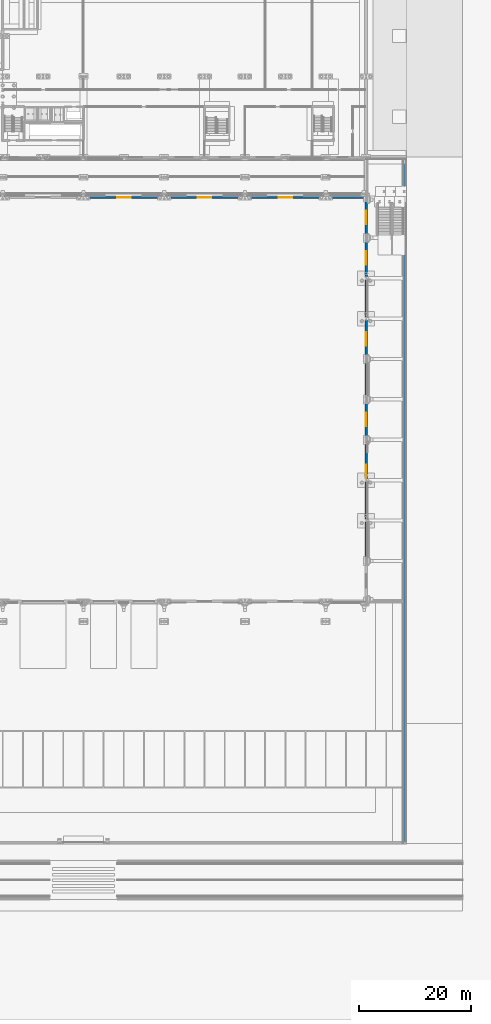
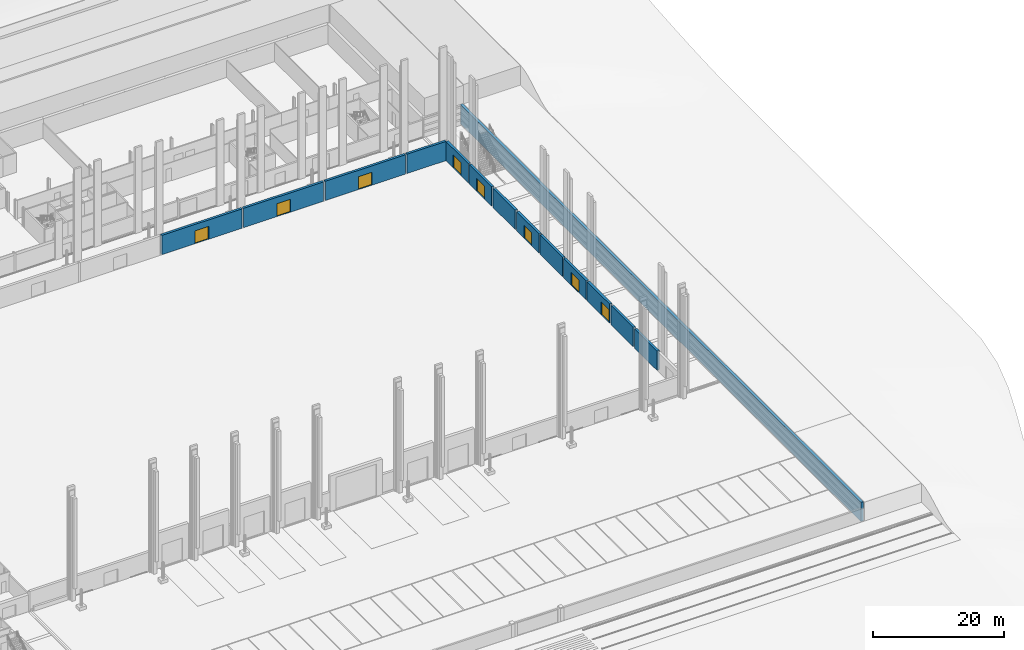
# One storey, part 86 of 148: 14 walls, 8 doors, 8 openings.
"""IFC4 building model written with IfcOpenShell, lengths in metres."""

from ifc_helpers import new_model, si_unit, direction, frame, frame_2d, origin, place, context, subcontext, project, spatial, rectangle, extrude, material, layer, layer_set, type_object, element, fill, save


model = new_model("IFC4")

# Units and contexts
model_context = context("Model", 3, precision=1e-05, world=origin(), true_north=direction((0.0, 1.0)))
body_context = subcontext(model_context, "Body", "Model", "MODEL_VIEW")
ifc_project = project(units=[si_unit("LENGTHUNIT", "METRE"), si_unit("AREAUNIT", "SQUARE_METRE"), si_unit("VOLUMEUNIT", "CUBIC_METRE"), si_unit("PLANEANGLEUNIT", "RADIAN"), si_unit("MASSUNIT", "GRAM", prefix="KILO")], contexts=[model_context])

# Site, building, storey
site_placement = place(None, origin())
site = spatial("IfcSite", under=ifc_project, at=site_placement, CompositionType="ELEMENT")
building_placement = place(site_placement, origin())
building = spatial("IfcBuilding", under=site, at=building_placement, Name="Kupolbacken Congress Centre", CompositionType="ELEMENT")
storey_placement = place(building_placement, origin())
storey = spatial("IfcBuildingStorey", under=building, at=storey_placement, Name="L00", CompositionType="ELEMENT", Elevation=0.0)

# Walls
ifc_material_1 = material(Name="Brick", Category="masonry")
ifc_layer_1 = layer(ifc_material_1, 0.10791015625)
ifc_material_2 = material(Name="Air cavity", Category="air")
ifc_layer_2 = layer(ifc_material_2, 0.0400390625, ventilated=True)
ifc_material_3 = material(Name="Mineral wool", Category="insulation")
ifc_layer_3 = layer(ifc_material_3, 0.152099609375)
ifc_material_4 = material(Name="Concrete block", Category="masonry")
ifc_layer_4 = layer(ifc_material_4, 0.1201171875)
ifc_layer_set_1 = layer_set([ifc_layer_1, ifc_layer_2, ifc_layer_3, ifc_layer_4], Name="Brick / Mineral wool / Concrete block")
wall_type_1 = type_object("IfcWallType", Name="EW04 external cavity wall 420", PredefinedType="SOLIDWALL", material=ifc_layer_set_1)
wall_1_placement = place(storey_placement, frame((201.60009765625, 50.544921875, 0.0), z_axis=(0.0, 0.0, 1.0), x_axis=(0.0, 1.0, 0.0)))
element("IfcWall", 1, at=wall_1_placement, inside=storey, type_object=wall_type_1, Name="E/H/E/L00/050", PredefinedType="SOLIDWALL", context=body_context, shape_type="SweptSolid", body=[
    extrude(rectangle(XDim=6.81005859375, YDim=0.419921875, at=frame_2d((3.405029296875, 0.0))), origin(), (0.0, 0.0, 1.0), 3.60009765625),
])
wall_2_placement = place(storey_placement, frame((201.60009765625, 57.844970703125, 0.0), z_axis=(0.0, 0.0, 1.0), x_axis=(0.0, 1.0, 0.0)))
element("IfcWall", 2, at=wall_2_placement, inside=storey, type_object=wall_type_1, Name="E/H/E/L00/051", PredefinedType="SOLIDWALL", context=body_context, shape_type="SweptSolid", body=[
    extrude(rectangle(XDim=6.7099609375, YDim=0.419921875, at=frame_2d((3.35498046875, 0.0))), origin(), (0.0, 0.0, 1.0), 3.60009765625),
])

# Wall, opening, door
wall_3_placement = place(storey_placement, frame((201.60009765625, 65.044921875, 0.0), z_axis=(0.0, 0.0, 1.0), x_axis=(0.0, 1.0, 0.0)))
wall_3 = element("IfcWall", 3, at=wall_3_placement, inside=storey, type_object=wall_type_1, Name="E/H/E/L00/052", PredefinedType="SOLIDWALL", context=body_context, shape_type="SweptSolid", body=[
    extrude(rectangle(XDim=6.81005859375, YDim=0.419921875, at=frame_2d((3.405029296875, 0.0))), origin(), (0.0, 0.0, 1.0), 3.60009765625),
])
opening_1_placement = place(wall_3_placement, frame((0.14990234375, 0.0, 0.014892578125)))
opening_1 = element("IfcOpeningElement", 4, at=opening_1_placement, cuts=wall_3, Name="Opening D46", PredefinedType="OPENING", context=body_context, shape_type="SweptSolid", body=[
    extrude(rectangle(XDim=2.39990234375, YDim=2.39990234375, at=frame_2d((1.199951171875, 1.199951171875))), frame((0.0, 0.219970703125, 0.0), z_axis=(0.0, -1.0, 0.0), x_axis=(1.0, 0.0, 0.0)), (0.0, 0.0, 1.0), 0.43994140625),
])
ifc_material_5 = material(Name="Timber door leaf", Category="wood")
door_type = type_object("IfcDoorType", Name="D46 door 2400x2400 with 15 mm threshold", OperationType="DOUBLE_DOOR_SINGLE_SWING", PredefinedType="DOOR", material=ifc_material_5)
door_1_placement = place(opening_1_placement, frame((2.39990234375, 0.0, 0.0), z_axis=(0.0, 0.0, 1.0), x_axis=(-1.0, 0.0, 0.0)))
door_1 = element("IfcDoor", 5, at=door_1_placement, inside=storey, type_object=door_type, Name="Hall exit E2", OperationType="DOUBLE_DOOR_SINGLE_SWING", OverallHeight=2.39990234375, OverallWidth=2.39990234375, PredefinedType="DOOR", context=body_context, shape_type="SweptSolid", body=[
    extrude(rectangle(XDim=2.39990234375, YDim=2.39990234375, at=frame_2d((1.199951171875, 1.199951171875))), frame((0.0, 0.02490234375, 0.0), z_axis=(0.0, -1.0, 0.0), x_axis=(1.0, 0.0, 0.0)), (0.0, 0.0, 1.0), 0.050048828125),
])
fill(opening_1, door_1)

wall_4_placement = place(storey_placement, frame((201.60009765625, 72.14501953125, 0.0), z_axis=(0.0, 0.0, 1.0), x_axis=(0.0, 1.0, 0.0)))
wall_4 = element("IfcWall", 6, at=wall_4_placement, inside=storey, type_object=wall_type_1, Name="E/H/E/L00/053", PredefinedType="SOLIDWALL", context=body_context, shape_type="SweptSolid", body=[
    extrude(rectangle(XDim=6.909912109375, YDim=0.419921875, at=frame_2d((3.455078125, 0.0))), origin(), (0.0, 0.0, 1.0), 3.60009765625),
])
opening_2_placement = place(wall_4_placement, frame((2.2548828125, 0.0, 0.014892578125)))
opening_2 = element("IfcOpeningElement", 7, at=opening_2_placement, cuts=wall_4, Name="Opening D46", PredefinedType="OPENING", context=body_context, shape_type="SweptSolid", body=[
    extrude(rectangle(XDim=2.39990234375, YDim=2.39990234375, at=frame_2d((1.199951171875, 1.199951171875))), frame((0.0, 0.219970703125, 0.0), z_axis=(0.0, -1.0, 0.0), x_axis=(1.0, 0.0, 0.0)), (0.0, 0.0, 1.0), 0.43994140625),
])
door_2_placement = place(opening_2_placement, frame((2.39990234375, 0.0, 0.0), z_axis=(0.0, 0.0, 1.0), x_axis=(-1.0, 0.0, 0.0)))
door_2 = element("IfcDoor", 8, at=door_2_placement, inside=storey, type_object=door_type, Name="Hall exit E3", OperationType="DOUBLE_DOOR_SINGLE_SWING", OverallHeight=2.39990234375, OverallWidth=2.39990234375, PredefinedType="DOOR", context=body_context, shape_type="SweptSolid", body=[
    extrude(rectangle(XDim=2.39990234375, YDim=2.39990234375, at=frame_2d((1.199951171875, 1.199951171875))), frame((0.0, 0.02490234375, 0.0), z_axis=(0.0, -1.0, 0.0), x_axis=(1.0, 0.0, 0.0)), (0.0, 0.0, 1.0), 0.050048828125),
])
fill(opening_2, door_2)

# Wall
wall_5_placement = place(storey_placement, frame((201.60009765625, 79.344970703125, 0.0), z_axis=(0.0, 0.0, 1.0), x_axis=(0.0, 1.0, 0.0)))
element("IfcWall", 9, at=wall_5_placement, inside=storey, type_object=wall_type_1, Name="E/H/E/L00/054", PredefinedType="SOLIDWALL", context=body_context, shape_type="SweptSolid", body=[
    extrude(rectangle(XDim=6.909912109375, YDim=0.419921875, at=frame_2d((3.455078125, 0.0))), origin(), (0.0, 0.0, 1.0), 3.60009765625),
])

# Wall, opening, door
wall_6_placement = place(storey_placement, frame((201.60009765625, 86.544921875, 0.0), z_axis=(0.0, 0.0, 1.0), x_axis=(0.0, 1.0, 0.0)))
wall_6 = element("IfcWall", 10, at=wall_6_placement, inside=storey, type_object=wall_type_1, Name="E/H/E/L00/055", PredefinedType="SOLIDWALL", context=body_context, shape_type="SweptSolid", body=[
    extrude(rectangle(XDim=6.81005859375, YDim=0.419921875, at=frame_2d((3.405029296875, 0.0))), origin(), (0.0, 0.0, 1.0), 3.60009765625),
])
opening_3_placement = place(wall_6_placement, frame((2.2548828125, 0.0, 0.014892578125)))
opening_3 = element("IfcOpeningElement", 11, at=opening_3_placement, cuts=wall_6, Name="Opening D46", PredefinedType="OPENING", context=body_context, shape_type="SweptSolid", body=[
    extrude(rectangle(XDim=2.39990234375, YDim=2.39990234375, at=frame_2d((1.199951171875, 1.199951171875))), frame((0.0, 0.219970703125, 0.0), z_axis=(0.0, -1.0, 0.0), x_axis=(1.0, 0.0, 0.0)), (0.0, 0.0, 1.0), 0.43994140625),
])
door_3_placement = place(opening_3_placement, frame((2.39990234375, 0.0, 0.0), z_axis=(0.0, 0.0, 1.0), x_axis=(-1.0, 0.0, 0.0)))
door_3 = element("IfcDoor", 12, at=door_3_placement, inside=storey, type_object=door_type, Name="Hall exit E4", OperationType="DOUBLE_DOOR_SINGLE_SWING", OverallHeight=2.39990234375, OverallWidth=2.39990234375, PredefinedType="DOOR", context=body_context, shape_type="SweptSolid", body=[
    extrude(rectangle(XDim=2.39990234375, YDim=2.39990234375, at=frame_2d((1.199951171875, 1.199951171875))), frame((0.0, 0.02490234375, 0.0), z_axis=(0.0, -1.0, 0.0), x_axis=(1.0, 0.0, 0.0)), (0.0, 0.0, 1.0), 0.050048828125),
])
fill(opening_3, door_3)

# Wall
wall_7_placement = place(storey_placement, frame((201.60009765625, 93.844970703125, 0.0), z_axis=(0.0, 0.0, 1.0), x_axis=(0.0, 1.0, 0.0)))
element("IfcWall", 13, at=wall_7_placement, inside=storey, type_object=wall_type_1, Name="E/H/E/L00/056", PredefinedType="SOLIDWALL", context=body_context, shape_type="SweptSolid", body=[
    extrude(rectangle(XDim=6.7099609375, YDim=0.419921875, at=frame_2d((3.35498046875, 0.0))), origin(), (0.0, 0.0, 1.0), 3.60009765625),
])

# Wall, opening, door
wall_8_placement = place(storey_placement, frame((201.60009765625, 101.044921875, 0.0), z_axis=(0.0, 0.0, 1.0), x_axis=(0.0, 1.0, 0.0)))
wall_8 = element("IfcWall", 14, at=wall_8_placement, inside=storey, type_object=wall_type_1, Name="E/H/E/L00/057", PredefinedType="SOLIDWALL", context=body_context, shape_type="SweptSolid", body=[
    extrude(rectangle(XDim=6.81005859375, YDim=0.419921875, at=frame_2d((3.405029296875, 0.0))), origin(), (0.0, 0.0, 1.0), 3.60009765625),
])
opening_4_placement = place(wall_8_placement, frame((2.155029296875, 0.0, 0.014892578125)))
opening_4 = element("IfcOpeningElement", 15, at=opening_4_placement, cuts=wall_8, Name="Opening D46", PredefinedType="OPENING", context=body_context, shape_type="SweptSolid", body=[
    extrude(rectangle(XDim=2.39990234375, YDim=2.39990234375, at=frame_2d((1.199951171875, 1.199951171875))), frame((0.0, 0.219970703125, 0.0), z_axis=(0.0, -1.0, 0.0), x_axis=(1.0, 0.0, 0.0)), (0.0, 0.0, 1.0), 0.43994140625),
])
door_4_placement = place(opening_4_placement, frame((2.39990234375, 0.0, 0.0), z_axis=(0.0, 0.0, 1.0), x_axis=(-1.0, 0.0, 0.0)))
door_4 = element("IfcDoor", 16, at=door_4_placement, inside=storey, type_object=door_type, Name="Hall exit E5", OperationType="DOUBLE_DOOR_SINGLE_SWING", OverallHeight=2.39990234375, OverallWidth=2.39990234375, PredefinedType="DOOR", context=body_context, shape_type="SweptSolid", body=[
    extrude(rectangle(XDim=2.39990234375, YDim=2.39990234375, at=frame_2d((1.199951171875, 1.199951171875))), frame((0.0, 0.02490234375, 0.0), z_axis=(0.0, -1.0, 0.0), x_axis=(1.0, 0.0, 0.0)), (0.0, 0.0, 1.0), 0.050048828125),
])
fill(opening_4, door_4)

wall_9_placement = place(storey_placement, frame((201.60009765625, 108.14501953125, 0.0), z_axis=(0.0, 0.0, 1.0), x_axis=(0.0, 1.0, 0.0)))
wall_9 = element("IfcWall", 17, at=wall_9_placement, inside=storey, type_object=wall_type_1, Name="E/H/E/L00/058", PredefinedType="SOLIDWALL", context=body_context, shape_type="SweptSolid", body=[
    extrude(rectangle(XDim=6.844970703125, YDim=0.419921875, at=frame_2d((3.42236328125, 0.0))), origin(), (0.0, 0.0, 1.0), 3.60009765625),
])
opening_5_placement = place(wall_9_placement, frame((2.2548828125, 0.0, 0.014892578125)))
opening_5 = element("IfcOpeningElement", 18, at=opening_5_placement, cuts=wall_9, Name="Opening D46", PredefinedType="OPENING", context=body_context, shape_type="SweptSolid", body=[
    extrude(rectangle(XDim=2.39990234375, YDim=2.39990234375, at=frame_2d((1.199951171875, 1.199951171875))), frame((0.0, 0.219970703125, 0.0), z_axis=(0.0, -1.0, 0.0), x_axis=(1.0, 0.0, 0.0)), (0.0, 0.0, 1.0), 0.43994140625),
])
door_5_placement = place(opening_5_placement, frame((2.39990234375, 0.0, 0.0), z_axis=(0.0, 0.0, 1.0), x_axis=(-1.0, 0.0, 0.0)))
door_5 = element("IfcDoor", 19, at=door_5_placement, inside=storey, type_object=door_type, Name="Hall exit E6", OperationType="DOUBLE_DOOR_SINGLE_SWING", OverallHeight=2.39990234375, OverallWidth=2.39990234375, PredefinedType="DOOR", context=body_context, shape_type="SweptSolid", body=[
    extrude(rectangle(XDim=2.39990234375, YDim=2.39990234375, at=frame_2d((1.199951171875, 1.199951171875))), frame((0.0, 0.02490234375, 0.0), z_axis=(0.0, -1.0, 0.0), x_axis=(1.0, 0.0, 0.0)), (0.0, 0.0, 1.0), 0.050048828125),
])
fill(opening_5, door_5)

# Wall
wall_10_placement = place(storey_placement, frame((201.449951171875, 115.199951171875, 0.0), z_axis=(0.0, 0.0, 1.0), x_axis=(-1.0, 0.0, 0.0)))
element("IfcWall", 20, at=wall_10_placement, inside=storey, type_object=wall_type_1, Name="E/H/N/L00/059", PredefinedType="SOLIDWALL", context=body_context, shape_type="SweptSolid", body=[
    extrude(rectangle(XDim=6.89990234375, YDim=0.419921875, at=frame_2d((3.449951171875, 0.0))), origin(), (0.0, 0.0, 1.0), 3.60009765625),
])

# Wall, opening, door
wall_11_placement = place(storey_placement, frame((194.25, 115.199951171875, 0.0), z_axis=(0.0, 0.0, 1.0), x_axis=(-1.0, 0.0, 0.0)))
wall_11 = element("IfcWall", 21, at=wall_11_placement, inside=storey, type_object=wall_type_1, Name="E/H/N/L00/060", PredefinedType="SOLIDWALL", context=body_context, shape_type="SweptSolid", body=[
    extrude(rectangle(XDim=14.10009765625, YDim=0.419921875, at=frame_2d((7.050048828125, 0.0))), origin(), (0.0, 0.0, 1.0), 3.60009765625),
])
opening_6_placement = place(wall_11_placement, frame((5.85009765625, 0.0, 0.014892578125)))
opening_6 = element("IfcOpeningElement", 22, at=opening_6_placement, cuts=wall_11, Name="Opening D46", PredefinedType="OPENING", context=body_context, shape_type="SweptSolid", body=[
    extrude(rectangle(XDim=2.39990234375, YDim=2.39990234375, at=frame_2d((1.199951171875, 1.199951171875))), frame((0.0, 0.219970703125, 0.0), z_axis=(0.0, -1.0, 0.0), x_axis=(1.0, 0.0, 0.0)), (0.0, 0.0, 1.0), 0.43994140625),
])
door_6_placement = place(opening_6_placement, frame((2.39990234375, 0.0, 0.0), z_axis=(0.0, 0.0, 1.0), x_axis=(-1.0, 0.0, 0.0)))
door_6 = element("IfcDoor", 23, at=door_6_placement, inside=storey, type_object=door_type, Name="Hall exit N7", OperationType="DOUBLE_DOOR_SINGLE_SWING", OverallHeight=2.39990234375, OverallWidth=2.39990234375, PredefinedType="DOOR", context=body_context, shape_type="SweptSolid", body=[
    extrude(rectangle(XDim=2.39990234375, YDim=2.39990234375, at=frame_2d((1.199951171875, 1.199951171875))), frame((0.0, 0.02490234375, 0.0), z_axis=(0.0, -1.0, 0.0), x_axis=(1.0, 0.0, 0.0)), (0.0, 0.0, 1.0), 0.050048828125),
])
fill(opening_6, door_6)

wall_12_placement = place(storey_placement, frame((179.85009765625, 115.199951171875, 0.0), z_axis=(0.0, 0.0, 1.0), x_axis=(-1.0, 0.0, 0.0)))
wall_12 = element("IfcWall", 24, at=wall_12_placement, inside=storey, type_object=wall_type_1, Name="E/H/N/L00/061", PredefinedType="SOLIDWALL", context=body_context, shape_type="SweptSolid", body=[
    extrude(rectangle(XDim=14.10009765625, YDim=0.419921875, at=frame_2d((7.050048828125, 0.0))), origin(), (0.0, 0.0, 1.0), 3.60009765625),
])
opening_7_placement = place(wall_12_placement, frame((5.85009765625, 0.0, 0.014892578125)))
opening_7 = element("IfcOpeningElement", 25, at=opening_7_placement, cuts=wall_12, Name="Opening D46", PredefinedType="OPENING", context=body_context, shape_type="SweptSolid", body=[
    extrude(rectangle(XDim=2.39990234375, YDim=2.39990234375, at=frame_2d((1.199951171875, 1.199951171875))), frame((0.0, 0.219970703125, 0.0), z_axis=(0.0, -1.0, 0.0), x_axis=(1.0, 0.0, 0.0)), (0.0, 0.0, 1.0), 0.43994140625),
])
door_7_placement = place(opening_7_placement, frame((2.39990234375, 0.0, 0.0), z_axis=(0.0, 0.0, 1.0), x_axis=(-1.0, 0.0, 0.0)))
door_7 = element("IfcDoor", 26, at=door_7_placement, inside=storey, type_object=door_type, Name="Hall exit N6", OperationType="DOUBLE_DOOR_SINGLE_SWING", OverallHeight=2.39990234375, OverallWidth=2.39990234375, PredefinedType="DOOR", context=body_context, shape_type="SweptSolid", body=[
    extrude(rectangle(XDim=2.39990234375, YDim=2.39990234375, at=frame_2d((1.199951171875, 1.199951171875))), frame((0.0, 0.02490234375, 0.0), z_axis=(0.0, -1.0, 0.0), x_axis=(1.0, 0.0, 0.0)), (0.0, 0.0, 1.0), 0.050048828125),
])
fill(opening_7, door_7)

wall_13_placement = place(storey_placement, frame((165.449951171875, 115.199951171875, 0.0), z_axis=(0.0, 0.0, 1.0), x_axis=(-1.0, 0.0, 0.0)))
wall_13 = element("IfcWall", 27, at=wall_13_placement, inside=storey, type_object=wall_type_1, Name="E/H/N/L00/062", PredefinedType="SOLIDWALL", context=body_context, shape_type="SweptSolid", body=[
    extrude(rectangle(XDim=14.099853515625, YDim=0.419921875, at=frame_2d((7.0498046875, 0.0))), origin(), (0.0, 0.0, 1.0), 3.60009765625),
])
opening_8_placement = place(wall_13_placement, frame((5.85009765625, 0.0, 0.014892578125)))
opening_8 = element("IfcOpeningElement", 28, at=opening_8_placement, cuts=wall_13, Name="Opening D46", PredefinedType="OPENING", context=body_context, shape_type="SweptSolid", body=[
    extrude(rectangle(XDim=2.39990234375, YDim=2.39990234375, at=frame_2d((1.199951171875, 1.199951171875))), frame((0.0, 0.219970703125, 0.0), z_axis=(0.0, -1.0, 0.0), x_axis=(1.0, 0.0, 0.0)), (0.0, 0.0, 1.0), 0.43994140625),
])
door_8_placement = place(opening_8_placement, frame((2.39990234375, 0.0, 0.0), z_axis=(0.0, 0.0, 1.0), x_axis=(-1.0, 0.0, 0.0)))
door_8 = element("IfcDoor", 29, at=door_8_placement, inside=storey, type_object=door_type, Name="Hall exit N5", OperationType="DOUBLE_DOOR_SINGLE_SWING", OverallHeight=2.39990234375, OverallWidth=2.39990234375, PredefinedType="DOOR", context=body_context, shape_type="SweptSolid", body=[
    extrude(rectangle(XDim=2.39990234375, YDim=2.39990234375, at=frame_2d((1.199951171875, 1.199951171875))), frame((0.0, 0.02490234375, 0.0), z_axis=(0.0, -1.0, 0.0), x_axis=(1.0, 0.0, 0.0)), (0.0, 0.0, 1.0), 0.050048828125),
])
fill(opening_8, door_8)

# Wall
ifc_material_6 = material(Name="Concrete C30/37", Category="concrete")
ifc_layer_5 = layer(ifc_material_6, 0.449951171875)
ifc_layer_set_2 = layer_set([ifc_layer_5], Name="Concrete C30/37")
wall_type_2 = type_object("IfcWallType", Name="RW1 retaining wall 450", PredefinedType="SOLIDWALL", material=ifc_layer_set_2)
wall_14_placement = place(storey_placement, frame((208.445068359375, 0.1298828125, 0.0), z_axis=(0.0, 0.0, 1.0), x_axis=(0.0, 1.0, 0.0)))
element("IfcWall", 30, at=wall_14_placement, inside=storey, type_object=wall_type_2, Name="S/rw/RW4/W1", PredefinedType="SOLIDWALL", context=body_context, shape_type="SweptSolid", body=[
    extrude(rectangle(XDim=122.27001953125, YDim=0.449951171875, at=frame_2d((61.135009765625, 0.0))), origin(), (0.0, 0.0, 1.0), 3.60009765625),
])

save(model, "model.ifc")
